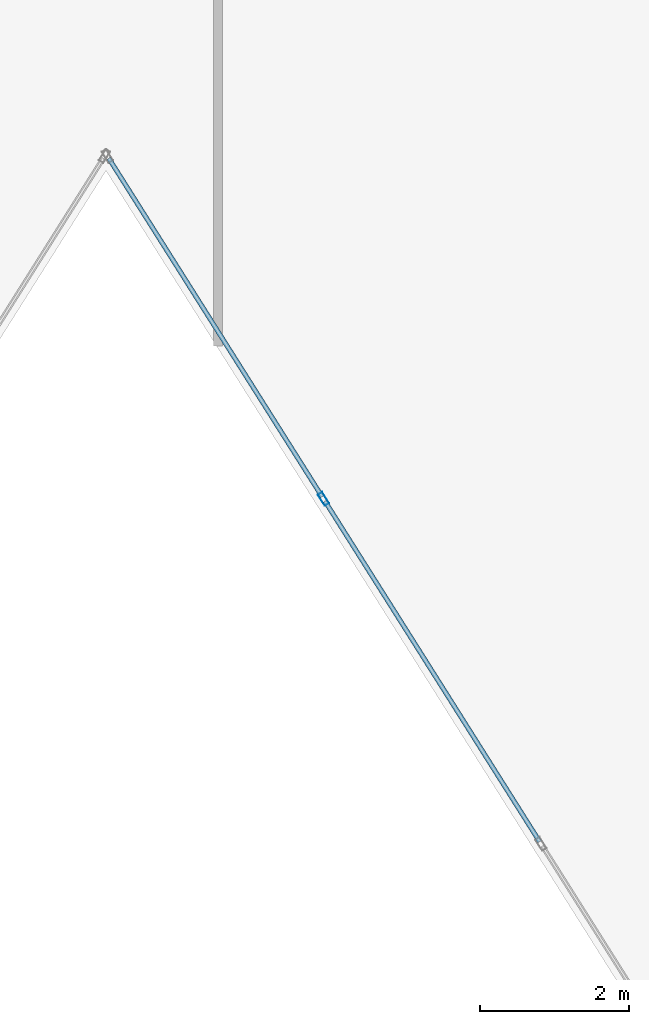
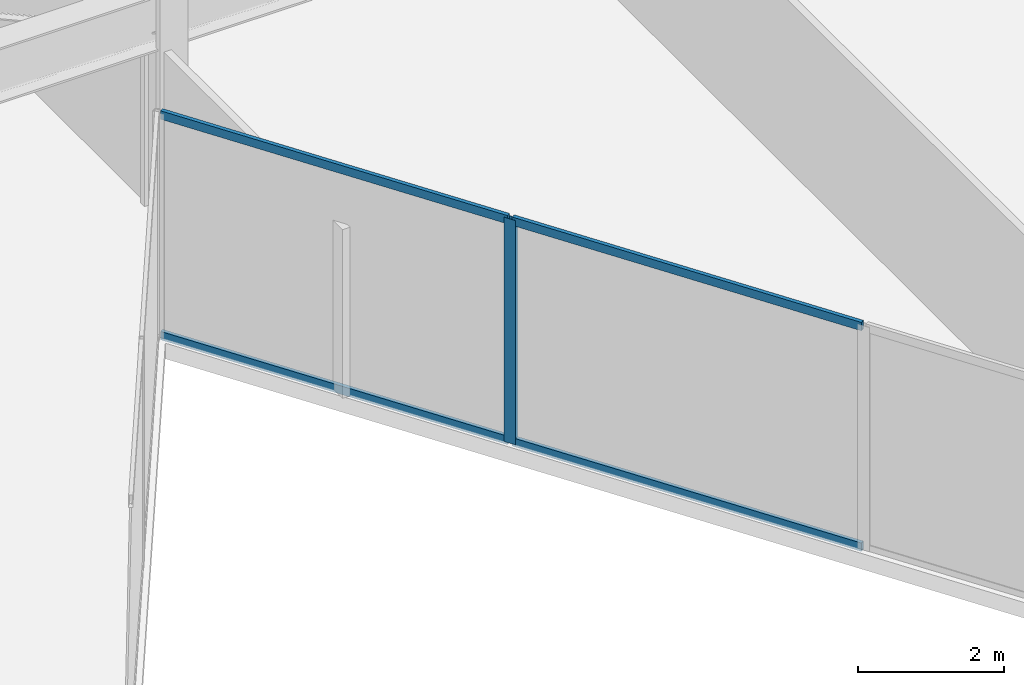
# One storey, part 15 of 25: 5 members, 1 element without a shape of its own.
"""IFC4 building model written with IfcOpenShell, lengths in metres."""

from ifc_helpers import new_model, si_unit, direction, frame, origin, origin_2d, place, context, subcontext, project, spatial, hollow_rectangle, extrude, material, layer, layer_set, material_profile, profile_set, type_object, element, aggregate, save


model = new_model("IFC4")

# Units and contexts
model_context = context("Model", 3, precision=1e-05, world=origin(), true_north=direction((0.0, 1.0)))
body_context = subcontext(model_context, "Body", "Model", "MODEL_VIEW")
ifc_project = project(units=[si_unit("LENGTHUNIT", "METRE"), si_unit("AREAUNIT", "SQUARE_METRE"), si_unit("VOLUMEUNIT", "CUBIC_METRE"), si_unit("PLANEANGLEUNIT", "RADIAN"), si_unit("MASSUNIT", "GRAM", prefix="KILO")], contexts=[model_context])

# Site, building, storey
site_placement = place(None, origin())
site = spatial("IfcSite", under=ifc_project, at=site_placement, CompositionType="ELEMENT")
building_placement = place(site_placement, origin())
building = spatial("IfcBuilding", under=site, at=building_placement, Name="Kravanh Interchange Tower", CompositionType="ELEMENT")
storey_placement = place(building_placement, frame((0.0, 0.0, 49.5)))
storey = spatial("IfcBuildingStorey", under=building, at=storey_placement, Name="L11", CompositionType="ELEMENT", Elevation=49.5)

# Curtain wall, members
ifc_material_1 = material(Name="Anodised Bronze Aluminium", Category="aluminium")
ifc_layer = layer(ifc_material_1, 0.179931640625)
ifc_layer_set = layer_set([ifc_layer], Name="Unitised Curtain Wall System CW-Z1 Lower Office")
curtain_wall_type = type_object("IfcCurtainWallType", Name="Unitised Curtain Wall System CW-Z1 Lower Office", PredefinedType="NOTDEFINED", material=ifc_layer_set)
curtain_wall_placement = place(storey_placement, origin())
curtain_wall = element("IfcCurtainWall", 1, at=curtain_wall_placement, inside=storey, type_object=curtain_wall_type, Name="L11 Unitised Curtain Wall CW-L11-04", PredefinedType="NOTDEFINED")
ifc_material_2 = material(Name="Anodised Bronze Aluminium", Category="aluminium")
ifc_material_profile_1 = material_profile(ifc_material_2, hollow_rectangle(XDim=0.070068359375, YDim=0.179931640625, WallThickness=0.00390625, at=origin_2d()), Name="ALU70X180X4")
ifc_profile_set_1 = profile_set([ifc_material_profile_1], Name="Anodised Bronze Aluminium")
member_type_1 = type_object("IfcMemberType", Name="Curtain Wall Mullion ALU70X180X4 Bronze", PredefinedType="MULLION", material=ifc_profile_set_1)
member_1_placement = place(storey_placement, frame((39.913330078125, 19.60400390625, 0.0), z_axis=(0.0, 0.0, 1.0), x_axis=(-0.845925530786, -0.53330103728, 0.0)))
member_1 = element("IfcMember", 2, at=member_1_placement, type_object=member_type_1, Name="CW-Z1 mullion 5", PredefinedType="MULLION", context=body_context, shape_type="SweptSolid", body=[
    extrude(hollow_rectangle(XDim=0.070068359375, YDim=0.179931640625, WallThickness=0.00390625, at=origin_2d()), origin(), (0.0, 0.0, 1.0), 3.739990234375),
])
ifc_material_3 = material(Name="Anodised Bronze Aluminium", Category="aluminium")
ifc_material_profile_2 = material_profile(ifc_material_3, hollow_rectangle(XDim=0.06005859375, YDim=0.139892578125, WallThickness=0.00390625, at=origin_2d()), Name="ALU60X140X4")
ifc_profile_set_2 = profile_set([ifc_material_profile_2], Name="Anodised Bronze Aluminium")
member_type_2 = type_object("IfcMemberType", Name="Curtain Wall Transom ALU60X140X4 Bronze", PredefinedType="USERDEFINED", material=ifc_profile_set_2)
member_2_placement = place(storey_placement, frame((42.807861328125, 15.0126953125, 0.030029296875), z_axis=(-0.533311487456, 0.84591894254, 0.0), x_axis=(-0.84591894254, -0.533311487456, 0.0)))
member_2 = element("IfcMember", 3, at=member_2_placement, type_object=member_type_2, Name="CW-Z1 transom 4.1", ObjectType="TRANSOM", PredefinedType="USERDEFINED", context=body_context, shape_type="SweptSolid", body=[
    extrude(hollow_rectangle(XDim=0.06005859375, YDim=0.139892578125, WallThickness=0.00390625, at=origin_2d()), origin(), (0.0, 0.0, 1.0), 5.392578125),
])
member_3_placement = place(storey_placement, frame((42.807861328125, 15.0126953125, 3.7099609375), z_axis=(-0.533311487456, 0.84591894254, 0.0), x_axis=(-0.84591894254, -0.533311487456, 0.0)))
member_3 = element("IfcMember", 4, at=member_3_placement, type_object=member_type_2, Name="CW-Z1 transom 4.2", ObjectType="TRANSOM", PredefinedType="USERDEFINED", context=body_context, shape_type="SweptSolid", body=[
    extrude(hollow_rectangle(XDim=0.06005859375, YDim=0.139892578125, WallThickness=0.00390625, at=origin_2d()), origin(), (0.0, 0.0, 1.0), 5.392578125),
])
member_4_placement = place(storey_placement, frame((39.89453125, 19.633544921875, 0.030029296875), z_axis=(-0.533288163518, 0.845933646719, 0.0), x_axis=(-0.845933646719, -0.533288163518, 0.0)))
member_4 = element("IfcMember", 5, at=member_4_placement, type_object=member_type_2, Name="CW-Z1 transom 5.1", ObjectType="TRANSOM", PredefinedType="USERDEFINED", context=body_context, shape_type="SweptSolid", body=[
    extrude(hollow_rectangle(XDim=0.06005859375, YDim=0.139892578125, WallThickness=0.00390625, at=origin_2d()), origin(), (0.0, 0.0, 1.0), 5.357666015625),
])
member_5_placement = place(storey_placement, frame((39.89453125, 19.633544921875, 3.7099609375), z_axis=(-0.533288163518, 0.845933646719, 0.0), x_axis=(-0.845933646719, -0.533288163518, 0.0)))
member_5 = element("IfcMember", 6, at=member_5_placement, type_object=member_type_2, Name="CW-Z1 transom 5.2", ObjectType="TRANSOM", PredefinedType="USERDEFINED", context=body_context, shape_type="SweptSolid", body=[
    extrude(hollow_rectangle(XDim=0.06005859375, YDim=0.139892578125, WallThickness=0.00390625, at=origin_2d()), origin(), (0.0, 0.0, 1.0), 5.357666015625),
])
aggregate(curtain_wall, [member_1, member_2, member_3, member_4, member_5])

save(model, "model.ifc")
